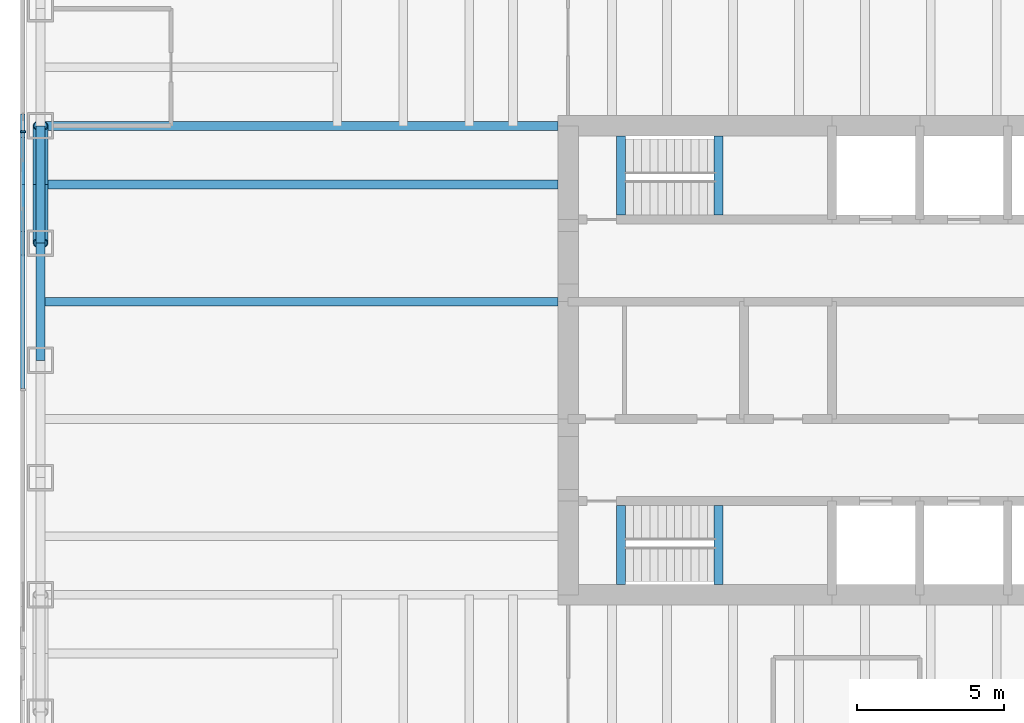
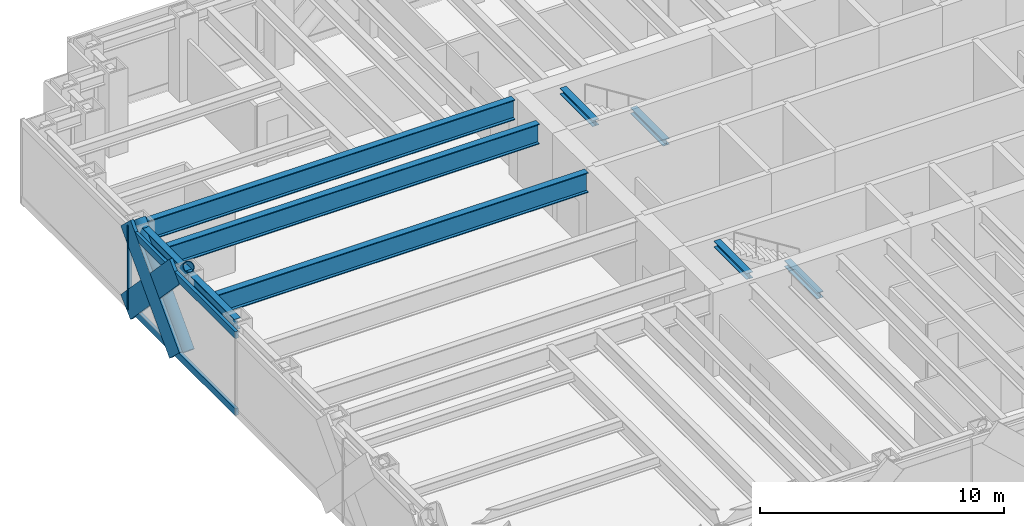
# One storey, part 3 of 17: 9 beams, 7 members, 1 element without a shape of its own.
"""IFC4 building model written with IfcOpenShell, lengths in metres."""

from ifc_helpers import new_model, si_unit, direction, frame, origin, origin_2d, place, context, subcontext, project, spatial, rectangle, hollow_circle, i_section, extrude, material, material_profile, profile_set, type_object, element, aggregate, save


model = new_model("IFC4")

# Units and contexts
model_context = context("Model", 3, precision=1e-05, world=origin(), true_north=direction((0.0, 1.0)))
body_context = subcontext(model_context, "Body", "Model", "MODEL_VIEW")
ifc_project = project(units=[si_unit("LENGTHUNIT", "METRE"), si_unit("AREAUNIT", "SQUARE_METRE"), si_unit("VOLUMEUNIT", "CUBIC_METRE"), si_unit("PLANEANGLEUNIT", "RADIAN"), si_unit("MASSUNIT", "GRAM", prefix="KILO")], contexts=[model_context])

# Site, building, storey
site_placement = place(None, origin())
site = spatial("IfcSite", under=ifc_project, at=site_placement, CompositionType="ELEMENT")
building_placement = place(site_placement, origin())
building = spatial("IfcBuilding", under=site, at=building_placement, Name="Rheinbord Bourse Tower", CompositionType="ELEMENT")
storey_placement = place(building_placement, frame((0.0, 0.0, 283.699951171875)))
storey = spatial("IfcBuildingStorey", under=building, at=storey_placement, Name="L64", CompositionType="ELEMENT", Elevation=283.699951171875)

# Curtain wall, members
ifc_material_1 = material(Name="Dark glass and black aluminium", Category="aluminium")
curtain_wall_type = type_object("IfcCurtainWallType", Name="CW3 DARK GLASS CURTAIN WALL", PredefinedType="USERDEFINED", material=ifc_material_1)
curtain_wall_placement = place(storey_placement, origin())
curtain_wall = element("IfcCurtainWall", 1, at=curtain_wall_placement, inside=storey, type_object=curtain_wall_type, Name="Curtain wall CW3 W L64", ObjectType="UNITISED CURTAIN WALL", PredefinedType="USERDEFINED")
ifc_material_2 = material(Name="Black anodised aluminium", Category="aluminium")
ifc_material_profile_1 = material_profile(ifc_material_2, rectangle(XDim=0.14990234375, YDim=1.10791015625, at=origin_2d()), Name="CW3 DIAGONAL MULLION 1108x150")
ifc_profile_set_1 = profile_set([ifc_material_profile_1], Name="Black anodised aluminium")
member_type_1 = type_object("IfcMemberType", Name="CW3 BLACK DIAGONAL MULLION", PredefinedType="USERDEFINED", material=ifc_profile_set_1)
member_1_placement = place(storey_placement, frame((-0.60009765625, 32.0, 0.0), z_axis=(0.0, -0.689659376744, 0.724133926887), x_axis=(1.0, 0.0, 0.0)))
member_1 = element("IfcMember", 2, at=member_1_placement, type_object=member_type_1, Name="CW3 diagonal mullion a", ObjectType="DIAGONAL MULLION", PredefinedType="USERDEFINED", context=body_context, shape_type="SweptSolid", body=[
    extrude(rectangle(XDim=0.14990234375, YDim=1.10791015625, at=origin_2d()), origin(), (0.0, 0.0, 1.0), 5.800048828125),
])
member_2_placement = place(storey_placement, frame((-0.60009765625, 28.0, 0.0), z_axis=(0.0, 0.689659376744, 0.724133926887), x_axis=(-1.0, 0.0, 0.0)))
member_2 = element("IfcMember", 3, at=member_2_placement, type_object=member_type_1, Name="CW3 diagonal mullion d", ObjectType="DIAGONAL MULLION", PredefinedType="USERDEFINED", context=body_context, shape_type="SweptSolid", body=[
    extrude(rectangle(XDim=0.14990234375, YDim=1.10791015625, at=origin_2d()), origin(), (0.0, 0.0, 1.0), 5.800048828125),
])
ifc_material_3 = material(Name="Black anodised aluminium", Category="aluminium")
ifc_material_profile_2 = material_profile(ifc_material_3, rectangle(XDim=0.199951171875, YDim=0.06494140625, at=origin_2d()), Name="CW3 MULLION 65x200")
ifc_profile_set_2 = profile_set([ifc_material_profile_2], Name="Black anodised aluminium")
member_type_2 = type_object("IfcMemberType", Name="CW3 BLACK MULLION", PredefinedType="MULLION", material=ifc_profile_set_2)
member_3_placement = place(storey_placement, frame((-0.60009765625, 31.800048828125, 0.0), z_axis=(0.0, 0.0, 1.0), x_axis=(1.0, 0.0, 0.0)))
member_3 = element("IfcMember", 4, at=member_3_placement, type_object=member_type_2, Name="CW3 mullion 2", PredefinedType="MULLION", context=body_context, shape_type="SweptSolid", body=[
    extrude(rectangle(XDim=0.199951171875, YDim=0.06494140625, at=origin_2d()), origin(), (0.0, 0.0, 1.0), 4.199951171875),
])
ifc_material_4 = material(Name="Black anodised aluminium", Category="aluminium")
ifc_material_profile_3 = material_profile(ifc_material_4, rectangle(XDim=0.14990234375, YDim=0.35009765625, at=origin_2d()), Name="CW3 TRANSOM 350x150")
ifc_profile_set_3 = profile_set([ifc_material_profile_3], Name="Black anodised aluminium")
member_type_3 = type_object("IfcMemberType", Name="CW3 BLACK TRANSOM", PredefinedType="USERDEFINED", material=ifc_profile_set_3)
member_4_placement = place(storey_placement, frame((-0.60009765625, 31.767578125, 0.175048828125), z_axis=(0.0, -1.0, 0.0), x_axis=(1.0, 0.0, 0.0)))
member_4 = element("IfcMember", 5, at=member_4_placement, type_object=member_type_3, Name="CW3 transom 2.1", ObjectType="TRANSOM", PredefinedType="USERDEFINED", context=body_context, shape_type="SweptSolid", body=[
    extrude(rectangle(XDim=0.14990234375, YDim=0.35009765625, at=origin_2d()), origin(), (0.0, 0.0, 1.0), 8.735107421875),
])
member_5_placement = place(storey_placement, frame((-0.60009765625, 31.767578125, 4.025146484375), z_axis=(0.0, -1.0, 0.0), x_axis=(1.0, 0.0, 0.0)))
member_5 = element("IfcMember", 6, at=member_5_placement, type_object=member_type_3, Name="CW3 transom 2.2", ObjectType="TRANSOM", PredefinedType="USERDEFINED", context=body_context, shape_type="SweptSolid", body=[
    extrude(rectangle(XDim=0.14990234375, YDim=0.35009765625, at=origin_2d()), origin(), (0.0, 0.0, 1.0), 8.735107421875),
])
aggregate(curtain_wall, [member_3, member_4, member_5, member_1, member_2])

# Beams
ifc_material_5 = material(Name="Steel S460", Category="steel")
ifc_material_profile_4 = material_profile(ifc_material_5, i_section(OverallWidth=0.302001953125, OverallDepth=1.008056640625, WebThickness=0.02099609375, FlangeThickness=0.0400390625, at=origin_2d()), Name="HEM 1000")
ifc_profile_set_4 = profile_set([ifc_material_profile_4], Name="Steel S460")
beam_type_1 = type_object("IfcBeamType", Name="END BEAM HEM 1000", PredefinedType="BEAM", material=ifc_profile_set_4)
for number, where, z_axis, x_axis, name in (
    (7, (0.0, 26.0, 3.5361328125), (1.0, 0.0, 0.0), (0.0, 1.0, 0.0), "End beam west 26 L65"),
    (8, (0.0, 30.0, 3.5361328125), (1.0, 0.0, 0.0), (0.0, 1.0, 0.0), "End beam west 30 L65"),
):
    element("IfcBeam", number, at=place(storey_placement, frame(where, z_axis=z_axis, x_axis=x_axis)), inside=storey, type_object=beam_type_1, Name=name, PredefinedType="BEAM", context=body_context, shape_type="SweptSolid", body=[
        extrude(i_section(OverallWidth=0.302001953125, OverallDepth=1.008056640625, WebThickness=0.02099609375, FlangeThickness=0.0400390625, at=origin_2d()), origin(), (0.0, 0.0, 1.0), 17.64990234375),
    ])
ifc_material_6 = material(Name="Steel S460", Category="steel")
ifc_material_profile_5 = material_profile(ifc_material_6, i_section(OverallWidth=0.302001953125, OverallDepth=1.008056640625, WebThickness=0.02099609375, FlangeThickness=0.0400390625, at=origin_2d()), Name="HEM 1000")
ifc_profile_set_5 = profile_set([ifc_material_profile_5], Name="Steel S460")
beam_type_2 = type_object("IfcBeamType", Name="GIRDER HEM 1000", PredefinedType="BEAM", material=ifc_profile_set_5)
beam_placement = place(storey_placement, frame((0.0, 32.0, 3.5361328125), z_axis=(1.0, 0.0, 0.0), x_axis=(0.0, 1.0, 0.0)))
element("IfcBeam", 9, at=beam_placement, inside=storey, type_object=beam_type_2, Name="Girder west 32 L65", PredefinedType="BEAM", context=body_context, shape_type="SweptSolid", body=[
    extrude(i_section(OverallWidth=0.302001953125, OverallDepth=1.008056640625, WebThickness=0.02099609375, FlangeThickness=0.0400390625, at=origin_2d()), origin(), (0.0, 0.0, 1.0), 17.64990234375),
])
ifc_material_7 = material(Name="Steel S460", Category="steel")
ifc_material_profile_6 = material_profile(ifc_material_7, i_section(OverallWidth=0.300048828125, OverallDepth=0.300048828125, WebThickness=0.010986328125, FlangeThickness=0.01904296875, at=origin_2d()), Name="HEB 300")
ifc_profile_set_6 = profile_set([ifc_material_profile_6], Name="Steel S460")
beam_type_3 = type_object("IfcBeamType", Name="LANDING TRIMMER HEB 300", PredefinedType="BEAM", material=ifc_profile_set_6)
for number, where, z_axis, x_axis, name in (
    (10, (23.1298828125, 16.35009765625, 1.75), (0.0, 1.0, 0.0), (-1.0, 0.0, 0.0), "Landing trimmer ST1 L64"),
    (11, (19.800048828125, 16.35009765625, 3.89013671875), (0.0, 1.0, 0.0), (-1.0, 0.0, 0.0), "Well trimmer ST1 under L65"),
    (12, (23.1298828125, 28.949951171875, 1.75), (0.0, 1.0, 0.0), (-1.0, 0.0, 0.0), "Landing trimmer ST2 L64"),
    (13, (19.800048828125, 28.949951171875, 3.89013671875), (0.0, 1.0, 0.0), (-1.0, 0.0, 0.0), "Well trimmer ST2 under L65"),
):
    element("IfcBeam", number, at=place(storey_placement, frame(where, z_axis=z_axis, x_axis=x_axis)), inside=storey, type_object=beam_type_3, Name=name, PredefinedType="BEAM", context=body_context, shape_type="SweptSolid", body=[
        extrude(i_section(OverallWidth=0.300048828125, OverallDepth=0.300048828125, WebThickness=0.010986328125, FlangeThickness=0.01904296875, at=origin_2d()), origin(), (0.0, 0.0, 1.0), 2.699951171875),
    ])

# Members
ifc_material_8 = material(Name="Steel S460", Category="steel")
ifc_material_profile_7 = material_profile(ifc_material_8, hollow_circle(Radius=0.25390625, WallThickness=0.030029296875, at=origin_2d()), Name="CHS 508x30")
ifc_profile_set_7 = profile_set([ifc_material_profile_7], Name="Steel S460")
member_type_4 = type_object("IfcMemberType", Name="MEGABRACE CHS 508x30", PredefinedType="BRACE", material=ifc_profile_set_7)
for number, where, z_axis, x_axis, name in (
    (14, (0.0, 32.0, 0.0), (0.0, -0.689659376744, 0.724133926887), (1.0, 0.0, 0.0), "Megabrace W face line a L64"),
    (15, (0.0, 28.0, 0.0), (0.0, 0.689659376744, 0.724133926887), (-1.0, 0.0, 0.0), "Megabrace W face line d L64"),
):
    element("IfcMember", number, at=place(storey_placement, frame(where, z_axis=z_axis, x_axis=x_axis)), inside=storey, type_object=member_type_4, Name=name, PredefinedType="BRACE", context=body_context, shape_type="SweptSolid", body=[
        extrude(hollow_circle(Radius=0.25390625, WallThickness=0.030029296875, at=origin_2d()), origin(), (0.0, 0.0, 1.0), 5.800048828125),
    ])

# Beams
ifc_material_9 = material(Name="Steel S460", Category="steel")
ifc_material_profile_8 = material_profile(ifc_material_9, i_section(OverallWidth=0.300048828125, OverallDepth=0.550048828125, WebThickness=0.014892578125, FlangeThickness=0.029052734375, at=origin_2d()), Name="HEB 550")
ifc_profile_set_8 = profile_set([ifc_material_profile_8], Name="Steel S460")
beam_type_4 = type_object("IfcBeamType", Name="SPANDREL HEB 550", PredefinedType="SPANDREL", material=ifc_profile_set_8)
for number, where, z_axis, x_axis, name in (
    (16, (0.0, 32.0, 3.76513671875), (0.0, -1.0, 0.0), (1.0, 0.0, 0.0), "Spandrel W-32-W-28 under L65"),
    (17, (0.0, 28.0, 3.76513671875), (0.0, -1.0, 0.0), (1.0, 0.0, 0.0), "Spandrel W-28-W-24 under L65"),
):
    element("IfcBeam", number, at=place(storey_placement, frame(where, z_axis=z_axis, x_axis=x_axis)), inside=storey, type_object=beam_type_4, Name=name, PredefinedType="SPANDREL", context=body_context, shape_type="SweptSolid", body=[
        extrude(i_section(OverallWidth=0.300048828125, OverallDepth=0.550048828125, WebThickness=0.014892578125, FlangeThickness=0.029052734375, at=origin_2d()), origin(), (0.0, 0.0, 1.0), 4.0),
    ])

save(model, "model.ifc")
